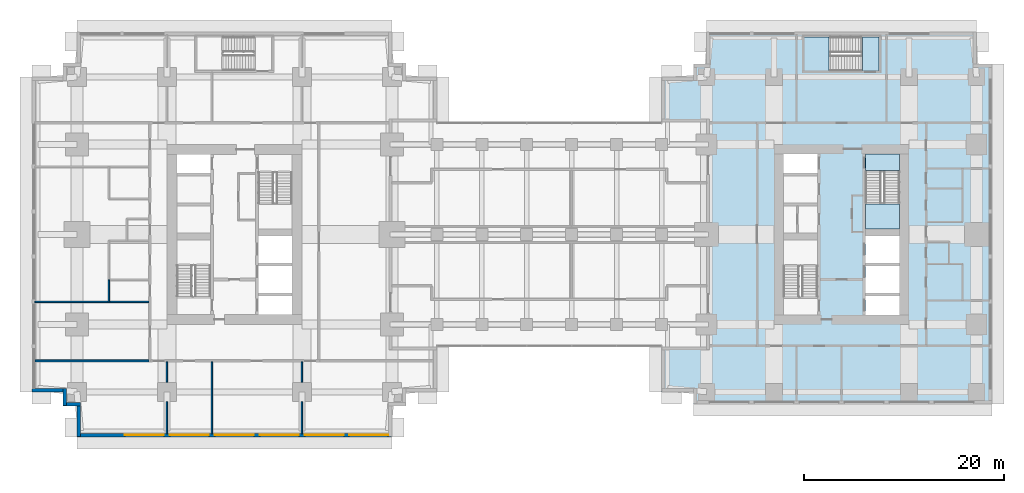
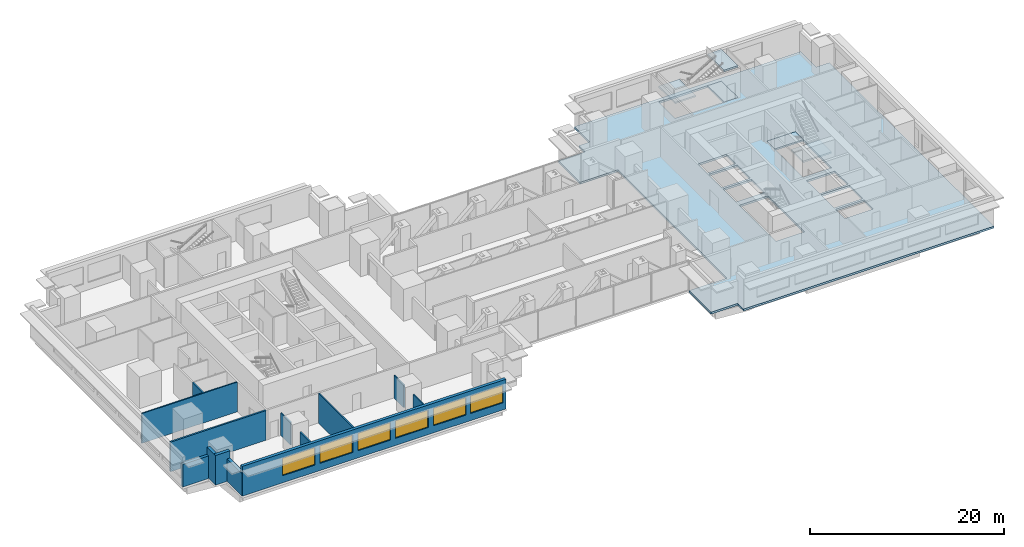
# One storey, part 6 of 16: 13 walls, 6 slabs, 6 windows, 6 openings, 2 elements without a shape of their own.
"""IFC4 building model written with IfcOpenShell, lengths in metres."""

import ifcopenshell
import ifcopenshell.guid

model = None  # the IFC model being written
_history = None  # IfcOwnerHistory: only IFC2X3 demands one
_inside = {}  # id of a spatial element -> (the spatial element, [elements in it])
_under = {}  # id of a project, library or spatial element -> (it, [spatial elements below it])
_declared = {}  # id of a project -> (the project, [libraries it declares])
_typed = {}  # id of a type object -> (the type object, [elements of that type])
_made_of = {}  # id of a material, layer set ... -> (it, [elements and type objects made of it])


def new_model(schema):
    """Start an empty IFC model of exactly this schema.

    Asked for "IFC4X3", IfcOpenShell would pick the latest addendum, in which some entities
    have other attributes; the version numbers below select the first issue.
    IFC2X3 requires an IfcOwnerHistory on every rooted entity: one is made here for all.
    """
    global model, _history
    if schema == "IFC4X3":
        model = ifcopenshell.file(schema_version=(4, 3, 0, 0))
    else:
        model = ifcopenshell.file(schema=schema)
    _inside.clear()
    _under.clear()
    _declared.clear()
    _typed.clear()
    _made_of.clear()
    _history = None
    if model.schema == "IFC2X3":
        org = make("IfcOrganization", Name="unknown")
        user = make(
            "IfcPersonAndOrganization",
            ThePerson=make("IfcPerson", FamilyName="unknown"),
            TheOrganization=org,
        )
        app = make(
            "IfcApplication",
            ApplicationDeveloper=org,
            Version="unknown",
            ApplicationFullName="unknown",
            ApplicationIdentifier="unknown",
        )
        _history = make(
            "IfcOwnerHistory",
            OwningUser=user,
            OwningApplication=app,
            ChangeAction="ADDED",
            CreationDate=0,
        )
    return model


def make(cls, **values):
    """One entity of the class cls with the attributes given. An attribute that is None is left unset."""
    return model.create_entity(
        cls, **{name: value for name, value in values.items() if value is not None}
    )


def rooted(cls, **values):
    """An entity with a GlobalId (a new one), such as an element, a storey or a relation."""
    return make(cls, GlobalId=ifcopenshell.guid.new(), OwnerHistory=_history, **values)


def si_unit(unit_type, name, prefix=None):
    """IfcSIUnit, for example si_unit("LENGTHUNIT", "METRE", prefix="MILLI")."""
    return make("IfcSIUnit", UnitType=unit_type, Prefix=prefix, Name=name)


def assignment(units):
    """IfcUnitAssignment: the units of a project."""
    return None if units is None else make("IfcUnitAssignment", Units=units)


def point(xyz):
    """IfcCartesianPoint."""
    return None if xyz is None else make("IfcCartesianPoint", Coordinates=xyz)


def direction(xyz):
    """IfcDirection."""
    return None if xyz is None else make("IfcDirection", DirectionRatios=xyz)


def frame(location, z_axis=None, x_axis=None):
    """IfcAxis2Placement3D, a coordinate frame: its origin and axes. An axis left out is left unset."""
    return make(
        "IfcAxis2Placement3D",
        Location=point(location),
        Axis=direction(z_axis),
        RefDirection=direction(x_axis),
    )


def frame_2d(location, x_axis=None):
    """IfcAxis2Placement2D, a coordinate frame in the plane: its origin and x axis."""
    return make(
        "IfcAxis2Placement2D", Location=point(location), RefDirection=direction(x_axis)
    )


def origin():
    """The frame at (0, 0, 0) with its axes left unset."""
    return frame((0.0, 0.0, 0.0))


def place(relative_to, where):
    """IfcLocalPlacement: puts the frame where relative to a parent placement (None: the world)."""
    return make(
        "IfcLocalPlacement", PlacementRelTo=relative_to, RelativePlacement=where
    )


def context(
    kind, dimensions, precision=None, world=None, true_north=None, identifier=None
):
    """IfcGeometricRepresentationContext, for example the 3D "Model" context."""
    return make(
        "IfcGeometricRepresentationContext",
        ContextIdentifier=identifier,
        ContextType=kind,
        CoordinateSpaceDimension=dimensions,
        Precision=precision,
        WorldCoordinateSystem=world,
        TrueNorth=true_north,
    )


def subcontext(parent, identifier, kind, view, scale=None):
    """IfcGeometricRepresentationSubContext, for example "Body" below "Model"."""
    return make(
        "IfcGeometricRepresentationSubContext",
        ContextIdentifier=identifier,
        ContextType=kind,
        ParentContext=parent,
        TargetScale=scale,
        TargetView=view,
    )


def project(units=None, contexts=None):
    """IfcProject with its units and contexts."""
    return rooted(
        "IfcProject",
        Name="project",
        RepresentationContexts=contexts,
        UnitsInContext=assignment(units),
    )


def spatial(cls, under=None, at=None, **own):
    """A site, building, storey or space (cls), placed at a placement, below another one or the project."""
    s = rooted(cls, ObjectPlacement=at, **own)
    if under is not None:
        _under.setdefault(under.id(), (under, []))[1].append(s)
    return s


def polyline(points):
    """IfcPolyline through the points."""
    return make("IfcPolyline", Points=[point(p) for p in points])


def profile(cls, at=None, kind="AREA", **sizes):
    """A parametric profile (cls). Its sizes go by their IFC names, for example OverallWidth=200.0."""
    return make(cls, ProfileType=kind, Position=at, **sizes)


def rectangle(**sizes):
    """IfcRectangleProfileDef."""
    return profile("IfcRectangleProfileDef", **sizes)


def outline(outer, holes=None, kind="AREA"):
    """IfcArbitraryClosedProfileDef: a profile drawn as a closed curve; with holes, ...WithVoids."""
    if holes is None:
        return make("IfcArbitraryClosedProfileDef", ProfileType=kind, OuterCurve=outer)
    return make(
        "IfcArbitraryProfileDefWithVoids",
        ProfileType=kind,
        OuterCurve=outer,
        InnerCurves=holes,
    )


def extrude(swept, where, along, depth):
    """IfcExtrudedAreaSolid: the profile swept, set in the frame where, extruded along a direction by depth."""
    return make(
        "IfcExtrudedAreaSolid",
        SweptArea=swept,
        Position=where,
        ExtrudedDirection=direction(along),
        Depth=depth,
    )


def shape(context_of_items, identifier, shape_type, items):
    """IfcShapeRepresentation: the items that make up one representation, for example the "Body"."""
    return make(
        "IfcShapeRepresentation",
        ContextOfItems=context_of_items,
        RepresentationIdentifier=identifier,
        RepresentationType=shape_type,
        Items=items,
    )


def material(Name=None, Category=None):
    """IfcMaterial."""
    return make("IfcMaterial", Name=Name, Category=Category)


def layer(
    of_material, thickness, ventilated=None, Name=None, Category=None, Priority=None
):
    """IfcMaterialLayer: one layer of a wall or slab, of a material (None: an air gap)."""
    return make(
        "IfcMaterialLayer",
        Material=of_material,
        LayerThickness=thickness,
        IsVentilated=ventilated,
        Name=Name,
        Category=Category,
        Priority=Priority,
    )


def layer_set(layers, Name=None):
    """IfcMaterialLayerSet."""
    return make("IfcMaterialLayerSet", MaterialLayers=layers, LayerSetName=Name)


def made_of(thing, what):
    """Note that an element or type object is made of a material, layer set ...; save() writes the relation."""
    if what is not None:
        _made_of.setdefault(what.id(), (what, []))[1].append(thing)
    return thing


def type_object(cls, material=None, **own):
    """A type object (cls), such as IfcWallType, which elements share."""
    return made_of(rooted(cls, **own), material)


def element(
    cls,
    number,
    at=None,
    inside=None,
    cuts=None,
    type_object=None,
    material=None,
    context=None,
    identifier="Body",
    shape_type=None,
    held_by="IfcProductDefinitionShape",
    body=None,
    shapes=None,
    **own,
):
    """One element of the class cls, such as IfcWall. Its Tag is "e" and its number.

    at: its placement. inside: the storey or other place that contains it. cuts: it is an
    opening in that element (IfcRelVoidsElement). A single representation is given by context,
    identifier, shape_type and body (its items); several are given by shapes. held_by: the class
    of the entity that holds the representations. save() writes the other relations.
    """
    e = rooted(cls, Tag="e%d" % number, ObjectPlacement=at, **own)
    if body is not None:
        shapes = [shape(context, identifier, shape_type, body)]
    if shapes is not None:
        e.Representation = make(held_by, Representations=shapes)
    if inside is not None:
        _inside.setdefault(inside.id(), (inside, []))[1].append(e)
    if cuts is not None:
        rooted(
            "IfcRelVoidsElement", RelatingBuildingElement=cuts, RelatedOpeningElement=e
        )
    if type_object is not None:
        _typed.setdefault(type_object.id(), (type_object, []))[1].append(e)
    return made_of(e, material)


def fill(opening, filler):
    """IfcRelFillsElement: the door or window that sits in an opening."""
    return rooted(
        "IfcRelFillsElement",
        RelatingOpeningElement=opening,
        RelatedBuildingElement=filler,
    )


def aggregate(whole, parts):
    """IfcRelAggregates: a whole, such as a stair, and the parts it consists of."""
    return rooted("IfcRelAggregates", RelatingObject=whole, RelatedObjects=parts)


def save(model, path):
    """Write the relations noted so far, then the file.

    IfcRelAggregates (storeys below a building ...), IfcRelContainedInSpatialStructure (elements
    in a storey), IfcRelDefinesByType, IfcRelAssociatesMaterial and IfcRelDeclares: one each for
    every whole, place, type object, material and project.
    """
    for whole, parts in _under.values():
        aggregate(whole, parts)
    for where, things in _inside.values():
        rooted(
            "IfcRelContainedInSpatialStructure",
            RelatedElements=things,
            RelatingStructure=where,
        )
    for kind, things in _typed.values():
        rooted("IfcRelDefinesByType", RelatedObjects=things, RelatingType=kind)
    for what, things in _made_of.values():
        rooted("IfcRelAssociatesMaterial", RelatedObjects=things, RelatingMaterial=what)
    for by, libraries in _declared.values():
        rooted("IfcRelDeclares", RelatingContext=by, RelatedDefinitions=libraries)
    model.write(path)


model = new_model("IFC4")

# Units and contexts
model_context = context("Model", 3, precision=1e-05, world=origin(), true_north=direction((0.0, 1.0)))
body_context = subcontext(model_context, "Body", "Model", "MODEL_VIEW")
ifc_project = project(units=[si_unit("LENGTHUNIT", "METRE"), si_unit("AREAUNIT", "SQUARE_METRE"), si_unit("VOLUMEUNIT", "CUBIC_METRE"), si_unit("PLANEANGLEUNIT", "RADIAN"), si_unit("MASSUNIT", "GRAM", prefix="KILO")], contexts=[model_context])

# Site, building, storey
site_placement = place(None, origin())
site = spatial("IfcSite", under=ifc_project, at=site_placement, CompositionType="ELEMENT")
building_placement = place(site_placement, origin())
building = spatial("IfcBuilding", under=site, at=building_placement, Name="Namib Vertical Campus", CompositionType="ELEMENT")
storey_placement = place(building_placement, frame((0.0, 0.0, 129.0)))
storey = spatial("IfcBuildingStorey", under=building, at=storey_placement, Name="L30", CompositionType="ELEMENT", Elevation=129.0)

# Slab
ifc_material_1 = material(Name="Concrete C40/50", Category="concrete")
ifc_layer_1 = layer(ifc_material_1, 0.25)
ifc_layer_set_1 = layer_set([ifc_layer_1], Name="Concrete C40/50")
slab_type_1 = type_object("IfcSlabType", Name="Floor slab 250", PredefinedType="FLOOR", material=ifc_layer_set_1)
slab_1_placement = place(storey_placement, frame((0.0, 0.0, -0.25)))
element("IfcSlab", 1, at=slab_1_placement, inside=storey, type_object=slab_type_1, Name="Floor slab B L30", PredefinedType="FLOOR", context=body_context, shape_type="SweptSolid", body=[
    extrude(outline(polyline([(63.0, 9.0), (63.0, 4.5), (66.199951171875, 4.5), (66.199951171875, 3.300048828125), (96.050048828125, 3.300048828125), (96.050048828125, 37.300048828125), (94.5, 37.300048828125), (94.5, 40.5), (67.5, 40.5), (67.5, 37.300048828125), (66.199951171875, 37.300048828125), (66.199951171875, 36.0), (63.0, 36.0), (63.0, 31.5), (67.5, 31.5), (67.5, 9.0), (63.0, 9.0)]), holes=[polyline([(75.199951171875, 12.199951171875), (78.60009765625, 12.199951171875), (78.60009765625, 19.699951171875), (75.199951171875, 19.699951171875), (75.199951171875, 12.199951171875)]), polyline([(83.39990234375, 20.800048828125), (86.800048828125, 20.800048828125), (86.800048828125, 28.300048828125), (83.39990234375, 28.300048828125), (83.39990234375, 20.800048828125)]), polyline([(83.39990234375, 12.199951171875), (86.800048828125, 12.199951171875), (86.800048828125, 14.10009765625), (83.39990234375, 14.10009765625), (83.39990234375, 12.199951171875)]), polyline([(75.199951171875, 20.39990234375), (78.60009765625, 20.39990234375), (78.60009765625, 23.10009765625), (75.199951171875, 23.10009765625), (75.199951171875, 20.39990234375)]), polyline([(75.199951171875, 23.39990234375), (78.60009765625, 23.39990234375), (78.60009765625, 26.10009765625), (75.199951171875, 26.10009765625), (75.199951171875, 23.39990234375)]), polyline([(75.199951171875, 26.39990234375), (78.60009765625, 26.39990234375), (78.60009765625, 28.300048828125), (75.199951171875, 28.300048828125), (75.199951171875, 26.39990234375)]), polyline([(83.39990234375, 14.39990234375), (86.800048828125, 14.39990234375), (86.800048828125, 17.10009765625), (83.39990234375, 17.10009765625), (83.39990234375, 14.39990234375)]), polyline([(83.39990234375, 17.39990234375), (86.800048828125, 17.39990234375), (86.800048828125, 20.10009765625), (83.39990234375, 20.10009765625), (83.39990234375, 17.39990234375)]), polyline([(77.25, 36.60009765625), (84.75, 36.60009765625), (84.75, 40.0), (77.25, 40.0), (77.25, 36.60009765625)])]), origin(), (0.0, 0.0, 1.0), 0.25),
])

# Stair, slabs
ifc_material_2 = material(Name="Concrete C40/50 precast", Category="concrete")
stair_type = type_object("IfcStairType", Name="Exit stair 4000 rise 24 risers 3400 wide", PredefinedType="HALF_TURN_STAIR", material=ifc_material_2)
stair_1_placement = place(storey_placement, origin())
stair_1 = element("IfcStair", 2, at=stair_1_placement, inside=storey, type_object=stair_type, Name="Exit stair B-S2 L30", PredefinedType="HALF_TURN_STAIR")
ifc_material_3 = material(Name="Concrete C40/50", Category="concrete")
ifc_layer_2 = layer(ifc_material_3, 0.199951171875)
ifc_layer_set_2 = layer_set([ifc_layer_2], Name="Concrete C40/50")
slab_type_2 = type_object("IfcSlabType", Name="Stair landing 200", PredefinedType="LANDING", material=ifc_layer_set_2)
slab_2_placement = place(storey_placement, frame((0.0, 0.0, -0.199951171875)))
slab_2 = element("IfcSlab", 3, at=slab_2_placement, type_object=slab_type_2, Name="B-S2 landing 1", PredefinedType="LANDING", context=body_context, shape_type="SweptSolid", body=[
    extrude(outline(polyline([(83.39990234375, 26.64599609375), (86.800048828125, 26.64599609375), (86.800048828125, 28.300048828125), (83.39990234375, 28.300048828125), (83.39990234375, 26.64599609375)])), origin(), (0.0, 0.0, 1.0), 0.199951171875),
])
slab_3_placement = place(storey_placement, frame((0.0, 0.0, 1.800048828125)))
slab_3 = element("IfcSlab", 4, at=slab_3_placement, type_object=slab_type_2, Name="B-S2 landing 2", PredefinedType="LANDING", context=body_context, shape_type="SweptSolid", body=[
    extrude(outline(polyline([(83.39990234375, 20.800048828125), (86.800048828125, 20.800048828125), (86.800048828125, 23.27392578125), (83.39990234375, 23.27392578125), (83.39990234375, 20.800048828125)])), origin(), (0.0, 0.0, 1.0), 0.199951171875),
])
aggregate(stair_1, [slab_2, slab_3])

stair_2_placement = place(storey_placement, origin())
stair_2 = element("IfcStair", 5, at=stair_2_placement, inside=storey, type_object=stair_type, Name="Exit stair B-S3 L30", PredefinedType="HALF_TURN_STAIR")
slab_4_placement = place(storey_placement, frame((0.0, 0.0, -0.199951171875)))
slab_4 = element("IfcSlab", 6, at=slab_4_placement, type_object=slab_type_2, Name="B-S3 landing 1", PredefinedType="LANDING", context=body_context, shape_type="SweptSolid", body=[
    extrude(outline(polyline([(83.09619140625, 36.60009765625), (83.09619140625, 40.0), (84.75, 40.0), (84.75, 36.60009765625), (83.09619140625, 36.60009765625)])), origin(), (0.0, 0.0, 1.0), 0.199951171875),
])
slab_5_placement = place(storey_placement, frame((0.0, 0.0, 1.800048828125)))
slab_5 = element("IfcSlab", 7, at=slab_5_placement, type_object=slab_type_2, Name="B-S3 landing 2", PredefinedType="LANDING", context=body_context, shape_type="SweptSolid", body=[
    extrude(outline(polyline([(77.25, 36.60009765625), (77.25, 40.0), (79.723876953125, 40.0), (79.723876953125, 36.60009765625), (77.25, 36.60009765625)])), origin(), (0.0, 0.0, 1.0), 0.199951171875),
])
slab_6_placement = place(storey_placement, frame((0.0, 0.0, 3.800048828125)))
slab_6 = element("IfcSlab", 8, at=slab_6_placement, type_object=slab_type_2, Name="B-S3 landing 3", PredefinedType="LANDING", context=body_context, shape_type="SweptSolid", body=[
    extrude(outline(polyline([(83.09619140625, 36.60009765625), (83.09619140625, 40.0), (84.75, 40.0), (84.75, 36.60009765625), (83.09619140625, 36.60009765625)])), origin(), (0.0, 0.0, 1.0), 0.199951171875),
])
aggregate(stair_2, [slab_4, slab_5, slab_6])

# Walls
ifc_material_4 = material(Name="Concrete masonry", Category="masonry")
ifc_layer_3 = layer(ifc_material_4, 0.199951171875)
ifc_layer_set_3 = layer_set([ifc_layer_3], Name="Corridor wall 200")
wall_type_1 = type_object("IfcWallType", Name="Corridor wall 200", PredefinedType="SOLIDWALL", material=ifc_layer_set_3)
wall_1_placement = place(storey_placement, frame((0.300048828125, 7.60009765625, 0.0), z_axis=(0.0, 0.0, 1.0), x_axis=(1.0, 0.0, 0.0)))
element("IfcWall", 9, at=wall_1_placement, inside=storey, type_object=wall_type_1, Name="Partition A L30 BSW", PredefinedType="SOLIDWALL", context=body_context, shape_type="SweptSolid", body=[
    extrude(rectangle(XDim=11.39990234375, YDim=0.199951171875, at=frame_2d((5.699951171875, 0.0))), origin(), (0.0, 0.0, 1.0), 3.75),
])
ifc_material_5 = material(Name="Concrete C40/50", Category="concrete")
ifc_layer_4 = layer(ifc_material_5, 0.35009765625)
ifc_layer_set_4 = layer_set([ifc_layer_4], Name="Concrete C40/50")
wall_type_2 = type_object("IfcWallType", Name="External wall 350 bush-hammered concrete", PredefinedType="STANDARD", material=ifc_layer_set_4)
wall_2_placement = place(storey_placement, frame((4.675048828125, 3.429931640625, 0.0), z_axis=(0.0, 0.0, 1.0), x_axis=(0.0, -1.0, 0.0)))
element("IfcWall", 10, at=wall_2_placement, inside=storey, type_object=wall_type_2, Name="External wall L30 F01", PredefinedType="STANDARD", context=body_context, shape_type="SweptSolid", body=[
    extrude(rectangle(XDim=3.409912109375, YDim=0.35009765625, at=frame_2d((1.705078125, 0.0))), origin(), (0.0, 0.0, 1.0), 2.85009765625),
])

# Wall, openings, windows
wall_3_placement = place(storey_placement, frame((4.52001953125, 0.175048828125, 0.0), z_axis=(0.0, 0.0, 1.0), x_axis=(1.0, 0.0, 0.0)))
wall_3 = element("IfcWall", 11, at=wall_3_placement, inside=storey, type_object=wall_type_2, Name="External wall L30 F02", PredefinedType="STANDARD", context=body_context, shape_type="SweptSolid", body=[
    extrude(rectangle(XDim=31.4599609375, YDim=0.35009765625, at=frame_2d((15.72998046875, 0.0))), origin(), (0.0, 0.0, 1.0), 3.75),
])
opening_1_placement = place(wall_3_placement, frame((4.780029296875, 0.0, 0.89990234375)))
opening_1 = element("IfcOpeningElement", 12, at=opening_1_placement, cuts=wall_3, Name="Opening W1", PredefinedType="OPENING", context=body_context, shape_type="SweptSolid", body=[
    extrude(rectangle(XDim=3.89990234375, YDim=2.199951171875, at=frame_2d((1.949951171875, 1.10009765625))), frame((0.0, 0.18505859375, 0.0), z_axis=(0.0, -1.0, 0.0), x_axis=(1.0, 0.0, 0.0)), (0.0, 0.0, 1.0), 0.3701171875),
])
opening_2_placement = place(wall_3_placement, frame((9.280029296875, 0.0, 0.89990234375)))
opening_2 = element("IfcOpeningElement", 13, at=opening_2_placement, cuts=wall_3, Name="Opening W1", PredefinedType="OPENING", context=body_context, shape_type="SweptSolid", body=[
    extrude(rectangle(XDim=3.89990234375, YDim=2.199951171875, at=frame_2d((1.949951171875, 1.10009765625))), frame((0.0, 0.18505859375, 0.0), z_axis=(0.0, -1.0, 0.0), x_axis=(1.0, 0.0, 0.0)), (0.0, 0.0, 1.0), 0.3701171875),
])
opening_3_placement = place(wall_3_placement, frame((13.780029296875, 0.0, 0.89990234375)))
opening_3 = element("IfcOpeningElement", 14, at=opening_3_placement, cuts=wall_3, Name="Opening W1", PredefinedType="OPENING", context=body_context, shape_type="SweptSolid", body=[
    extrude(rectangle(XDim=3.89990234375, YDim=2.199951171875, at=frame_2d((1.949951171875, 1.10009765625))), frame((0.0, 0.18505859375, 0.0), z_axis=(0.0, -1.0, 0.0), x_axis=(1.0, 0.0, 0.0)), (0.0, 0.0, 1.0), 0.3701171875),
])
opening_4_placement = place(wall_3_placement, frame((18.280029296875, 0.0, 0.89990234375)))
opening_4 = element("IfcOpeningElement", 15, at=opening_4_placement, cuts=wall_3, Name="Opening W1", PredefinedType="OPENING", context=body_context, shape_type="SweptSolid", body=[
    extrude(rectangle(XDim=3.89990234375, YDim=2.199951171875, at=frame_2d((1.949951171875, 1.10009765625))), frame((0.0, 0.18505859375, 0.0), z_axis=(0.0, -1.0, 0.0), x_axis=(1.0, 0.0, 0.0)), (0.0, 0.0, 1.0), 0.3701171875),
])
opening_5_placement = place(wall_3_placement, frame((22.780029296875, 0.0, 0.89990234375)))
opening_5 = element("IfcOpeningElement", 16, at=opening_5_placement, cuts=wall_3, Name="Opening W1", PredefinedType="OPENING", context=body_context, shape_type="SweptSolid", body=[
    extrude(rectangle(XDim=3.89990234375, YDim=2.199951171875, at=frame_2d((1.949951171875, 1.10009765625))), frame((0.0, 0.18505859375, 0.0), z_axis=(0.0, -1.0, 0.0), x_axis=(1.0, 0.0, 0.0)), (0.0, 0.0, 1.0), 0.3701171875),
])
opening_6_placement = place(wall_3_placement, frame((27.2099609375, 0.0, 0.89990234375)))
opening_6 = element("IfcOpeningElement", 17, at=opening_6_placement, cuts=wall_3, Name="Opening W1", PredefinedType="OPENING", context=body_context, shape_type="SweptSolid", body=[
    extrude(rectangle(XDim=3.89990234375, YDim=2.199951171875, at=frame_2d((1.949951171875, 1.10009765625))), frame((0.0, 0.18505859375, 0.0), z_axis=(0.0, -1.0, 0.0), x_axis=(1.0, 0.0, 0.0)), (0.0, 0.0, 1.0), 0.3701171875),
])
ifc_material_6 = material(Name="Dark tinted glass in black aluminium frame", Category="aluminium")
window_type = type_object("IfcWindowType", Name="Ribbon window 3900x2200", PartitioningType="SINGLE_PANEL", PredefinedType="WINDOW", material=ifc_material_6)
window_1_placement = place(opening_1_placement, origin())
window_1 = element("IfcWindow", 18, at=window_1_placement, inside=storey, type_object=window_type, Name="Window W1 L30 F02-2", OverallHeight=2.199951171875, OverallWidth=3.89990234375, PartitioningType="SINGLE_PANEL", PredefinedType="WINDOW", context=body_context, shape_type="SweptSolid", body=[
    extrude(rectangle(XDim=3.89990234375, YDim=2.199951171875, at=frame_2d((1.949951171875, 1.10009765625))), frame((0.0, 0.030029296875, 0.0), z_axis=(0.0, -1.0, 0.0), x_axis=(1.0, 0.0, 0.0)), (0.0, 0.0, 1.0), 0.06005859375),
])
fill(opening_1, window_1)
window_2_placement = place(opening_2_placement, origin())
window_2 = element("IfcWindow", 19, at=window_2_placement, inside=storey, type_object=window_type, Name="Window W1 L30 F02-3", OverallHeight=2.199951171875, OverallWidth=3.89990234375, PartitioningType="SINGLE_PANEL", PredefinedType="WINDOW", context=body_context, shape_type="SweptSolid", body=[
    extrude(rectangle(XDim=3.89990234375, YDim=2.199951171875, at=frame_2d((1.949951171875, 1.10009765625))), frame((0.0, 0.030029296875, 0.0), z_axis=(0.0, -1.0, 0.0), x_axis=(1.0, 0.0, 0.0)), (0.0, 0.0, 1.0), 0.06005859375),
])
fill(opening_2, window_2)
window_3_placement = place(opening_3_placement, origin())
window_3 = element("IfcWindow", 20, at=window_3_placement, inside=storey, type_object=window_type, Name="Window W1 L30 F02-4", OverallHeight=2.199951171875, OverallWidth=3.89990234375, PartitioningType="SINGLE_PANEL", PredefinedType="WINDOW", context=body_context, shape_type="SweptSolid", body=[
    extrude(rectangle(XDim=3.89990234375, YDim=2.199951171875, at=frame_2d((1.949951171875, 1.10009765625))), frame((0.0, 0.030029296875, 0.0), z_axis=(0.0, -1.0, 0.0), x_axis=(1.0, 0.0, 0.0)), (0.0, 0.0, 1.0), 0.06005859375),
])
fill(opening_3, window_3)
window_4_placement = place(opening_4_placement, origin())
window_4 = element("IfcWindow", 21, at=window_4_placement, inside=storey, type_object=window_type, Name="Window W1 L30 F02-5", OverallHeight=2.199951171875, OverallWidth=3.89990234375, PartitioningType="SINGLE_PANEL", PredefinedType="WINDOW", context=body_context, shape_type="SweptSolid", body=[
    extrude(rectangle(XDim=3.89990234375, YDim=2.199951171875, at=frame_2d((1.949951171875, 1.10009765625))), frame((0.0, 0.030029296875, 0.0), z_axis=(0.0, -1.0, 0.0), x_axis=(1.0, 0.0, 0.0)), (0.0, 0.0, 1.0), 0.06005859375),
])
fill(opening_4, window_4)
window_5_placement = place(opening_5_placement, origin())
window_5 = element("IfcWindow", 22, at=window_5_placement, inside=storey, type_object=window_type, Name="Window W1 L30 F02-6", OverallHeight=2.199951171875, OverallWidth=3.89990234375, PartitioningType="SINGLE_PANEL", PredefinedType="WINDOW", context=body_context, shape_type="SweptSolid", body=[
    extrude(rectangle(XDim=3.89990234375, YDim=2.199951171875, at=frame_2d((1.949951171875, 1.10009765625))), frame((0.0, 0.030029296875, 0.0), z_axis=(0.0, -1.0, 0.0), x_axis=(1.0, 0.0, 0.0)), (0.0, 0.0, 1.0), 0.06005859375),
])
fill(opening_5, window_5)
window_6_placement = place(opening_6_placement, origin())
window_6 = element("IfcWindow", 23, at=window_6_placement, inside=storey, type_object=window_type, Name="Window W1 L30 F02-7", OverallHeight=2.199951171875, OverallWidth=3.89990234375, PartitioningType="SINGLE_PANEL", PredefinedType="WINDOW", context=body_context, shape_type="SweptSolid", body=[
    extrude(rectangle(XDim=3.89990234375, YDim=2.199951171875, at=frame_2d((1.949951171875, 1.10009765625))), frame((0.0, 0.030029296875, 0.0), z_axis=(0.0, -1.0, 0.0), x_axis=(1.0, 0.0, 0.0)), (0.0, 0.0, 1.0), 0.06005859375),
])
fill(opening_6, window_6)

# Walls
wall_4_placement = place(storey_placement, frame((0.02001953125, 4.675048828125, 0.0), z_axis=(0.0, 0.0, 1.0), x_axis=(1.0, 0.0, 0.0)))
element("IfcWall", 24, at=wall_4_placement, inside=storey, type_object=wall_type_2, Name="External wall L30 F22", PredefinedType="STANDARD", context=body_context, shape_type="SweptSolid", body=[
    extrude(rectangle(XDim=3.409912109375, YDim=0.35009765625, at=frame_2d((1.705078125, 0.0))), origin(), (0.0, 0.0, 1.0), 2.85009765625),
])
for number, where, z_axis, x_axis, name in (
    (25, (3.27490234375, 4.830078125, 0.0), (0.0, 0.0, 1.0), (0.0, -1.0, 0.0), "External wall L30 F23"),
    (26, (3.1201171875, 3.27490234375, 0.0), (0.0, 0.0, 1.0), (1.0, 0.0, 0.0), "External wall L30 F24"),
):
    element("IfcWall", number, at=place(storey_placement, frame(where, z_axis=z_axis, x_axis=x_axis)), inside=storey, type_object=wall_type_2, Name=name, PredefinedType="STANDARD", context=body_context, shape_type="SweptSolid", body=[
        extrude(rectangle(XDim=1.7099609375, YDim=0.35009765625, at=frame_2d((0.85498046875, 0.0))), origin(), (0.0, 0.0, 1.0), 3.75),
    ])
ifc_material_7 = material(Name="Gypsum board on steel studs", Category="steel")
ifc_layer_5 = layer(ifc_material_7, 0.14990234375)
ifc_layer_set_5 = layer_set([ifc_layer_5], Name="Gypsum board on steel studs")
wall_type_3 = type_object("IfcWallType", Name="Partition 150", PredefinedType="PARTITIONING", material=ifc_layer_set_5)
wall_5_placement = place(storey_placement, frame((13.5, 0.300048828125, 0.0), z_axis=(0.0, 0.0, 1.0), x_axis=(0.0, 1.0, 0.0)))
element("IfcWall", 27, at=wall_5_placement, inside=storey, type_object=wall_type_3, Name="Partition A L30 PS1", PredefinedType="PARTITIONING", context=body_context, shape_type="SweptSolid", body=[
    extrude(rectangle(XDim=3.22998046875, YDim=0.14990234375, at=frame_2d((1.614990234375, 0.0))), origin(), (0.0, 0.0, 1.0), 2.85009765625),
])
wall_6_placement = place(storey_placement, frame((13.5, 5.469970703125, 0.0), z_axis=(0.0, 0.0, 1.0), x_axis=(0.0, 1.0, 0.0)))
element("IfcWall", 28, at=wall_6_placement, inside=storey, type_object=wall_type_3, Name="Partition A L30 PS1", PredefinedType="PARTITIONING", context=body_context, shape_type="SweptSolid", body=[
    extrude(rectangle(XDim=2.030029296875, YDim=0.14990234375, at=frame_2d((1.01513671875, 0.0))), origin(), (0.0, 0.0, 1.0), 2.85009765625),
])
wall_7_placement = place(storey_placement, frame((18.0, 0.300048828125, 0.0), z_axis=(0.0, 0.0, 1.0), x_axis=(0.0, 1.0, 0.0)))
element("IfcWall", 29, at=wall_7_placement, inside=storey, type_object=wall_type_3, Name="Partition A L30 PS2", PredefinedType="PARTITIONING", context=body_context, shape_type="SweptSolid", body=[
    extrude(rectangle(XDim=7.199951171875, YDim=0.14990234375, at=frame_2d((3.60009765625, 0.0))), origin(), (0.0, 0.0, 1.0), 3.75),
])
wall_8_placement = place(storey_placement, frame((27.0, 0.300048828125, 0.0), z_axis=(0.0, 0.0, 1.0), x_axis=(0.0, 1.0, 0.0)))
element("IfcWall", 30, at=wall_8_placement, inside=storey, type_object=wall_type_3, Name="Partition A L30 PS3", PredefinedType="PARTITIONING", context=body_context, shape_type="SweptSolid", body=[
    extrude(rectangle(XDim=3.22998046875, YDim=0.14990234375, at=frame_2d((1.614990234375, 0.0))), origin(), (0.0, 0.0, 1.0), 2.85009765625),
])
wall_9_placement = place(storey_placement, frame((27.0, 5.469970703125, 0.0), z_axis=(0.0, 0.0, 1.0), x_axis=(0.0, 1.0, 0.0)))
element("IfcWall", 31, at=wall_9_placement, inside=storey, type_object=wall_type_3, Name="Partition A L30 PS3", PredefinedType="PARTITIONING", context=body_context, shape_type="SweptSolid", body=[
    extrude(rectangle(XDim=2.030029296875, YDim=0.14990234375, at=frame_2d((1.01513671875, 0.0))), origin(), (0.0, 0.0, 1.0), 2.85009765625),
])
wall_10_placement = place(storey_placement, frame((0.300048828125, 13.5, 0.0), z_axis=(0.0, 0.0, 1.0), x_axis=(1.0, 0.0, 0.0)))
element("IfcWall", 32, at=wall_10_placement, inside=storey, type_object=wall_type_3, Name="Partition A L30 PW1", PredefinedType="PARTITIONING", context=body_context, shape_type="SweptSolid", body=[
    extrude(rectangle(XDim=11.39990234375, YDim=0.14990234375, at=frame_2d((5.699951171875, 0.0))), origin(), (0.0, 0.0, 1.0), 3.75),
])
wall_11_placement = place(storey_placement, frame((7.699951171875, 13.5, 0.0), z_axis=(0.0, 0.0, 1.0), x_axis=(0.0, 1.0, 0.0)))
element("IfcWall", 33, at=wall_11_placement, inside=storey, type_object=wall_type_3, Name="Partition A L30 WB1", PredefinedType="PARTITIONING", context=body_context, shape_type="SweptSolid", body=[
    extrude(rectangle(XDim=2.199951171875, YDim=0.14990234375, at=frame_2d((1.10009765625, 0.0))), origin(), (0.0, 0.0, 1.0), 3.75),
])

save(model, "model.ifc")
